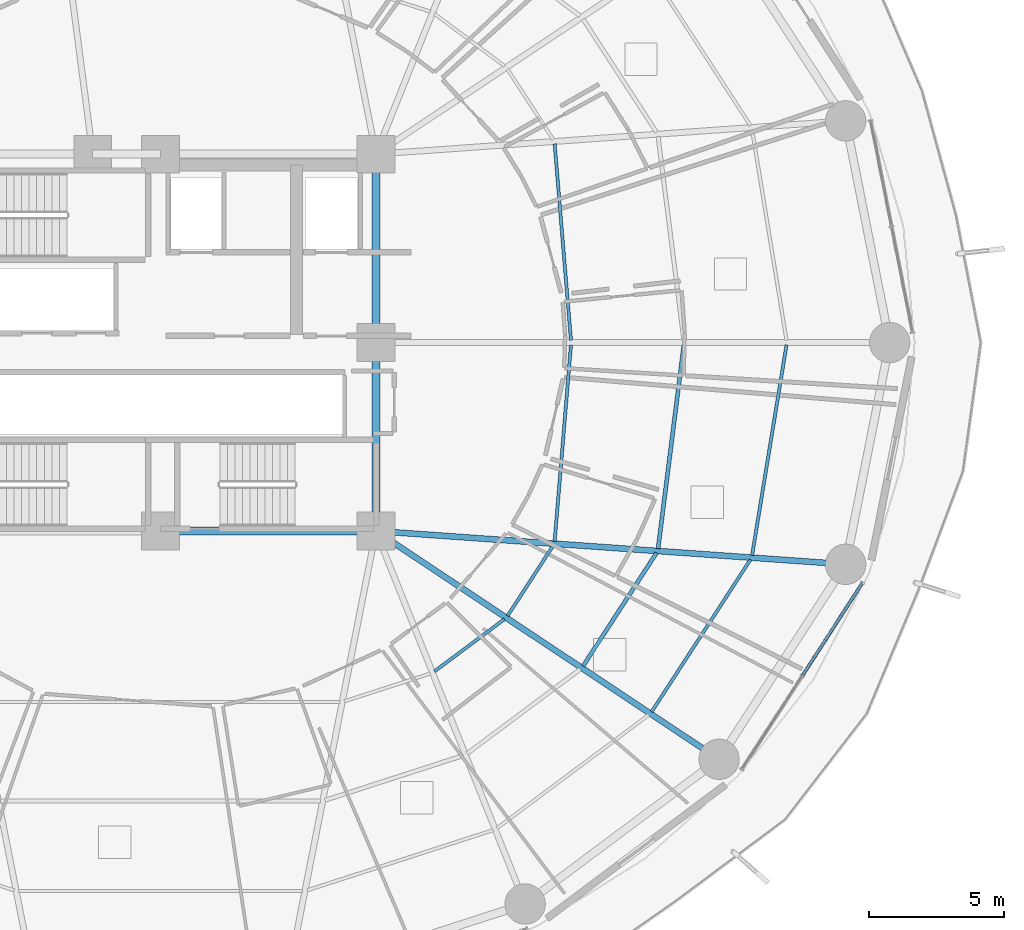
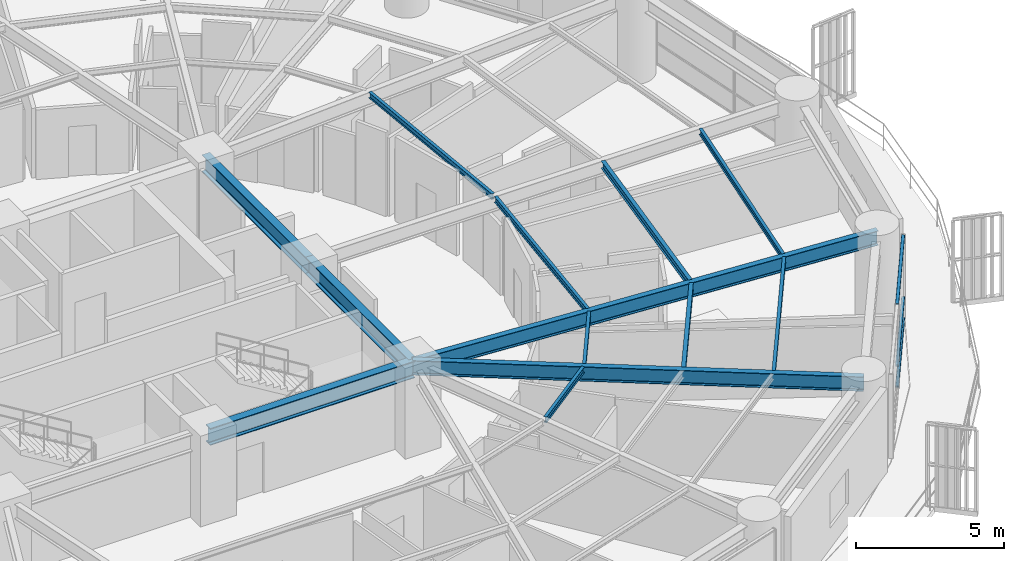
# One storey, part 11 of 32: 13 beams, 3 members, 1 element without a shape of its own.
"""IFC4 building model written with IfcOpenShell, lengths in metres."""

from ifc_helpers import new_model, si_unit, direction, frame, origin, origin_2d, place, context, subcontext, project, spatial, hollow_rectangle, i_section, extrude, material, layer, layer_set, material_profile, profile_set, type_object, element, aggregate, save


model = new_model("IFC4")

# Units and contexts
model_context = context("Model", 3, precision=1e-05, world=origin(), true_north=direction((0.0, 1.0)))
body_context = subcontext(model_context, "Body", "Model", "MODEL_VIEW")
ifc_project = project(units=[si_unit("LENGTHUNIT", "METRE"), si_unit("AREAUNIT", "SQUARE_METRE"), si_unit("VOLUMEUNIT", "CUBIC_METRE"), si_unit("PLANEANGLEUNIT", "RADIAN"), si_unit("MASSUNIT", "GRAM", prefix="KILO")], contexts=[model_context])

# Site, building, storey
site_placement = place(None, origin())
site = spatial("IfcSite", under=ifc_project, at=site_placement, CompositionType="ELEMENT")
building_placement = place(site_placement, origin())
building = spatial("IfcBuilding", under=site, at=building_placement, Name="Kelanora Arch Commons", CompositionType="ELEMENT")
storey_placement = place(building_placement, frame((0.0, 0.0, 56.25)))
storey = spatial("IfcBuildingStorey", under=building, at=storey_placement, Name="L14", CompositionType="ELEMENT", Elevation=56.25)

# Beams
ifc_material_1 = material(Name="Steel S355", Category="steel")
ifc_material_profile_1 = material_profile(ifc_material_1, i_section(OverallWidth=0.300048828125, OverallDepth=0.699951171875, WebThickness=0.01708984375, FlangeThickness=0.031982421875, FilletRadius=0.027099609375, at=origin_2d()), Name="HEB700")
ifc_profile_set_1 = profile_set([ifc_material_profile_1], Name="Steel S355")
beam_type_1 = type_object("IfcBeamType", Name="BM-CORE-HDR", PredefinedType="BEAM", material=ifc_profile_set_1)
beam_1_placement = place(storey_placement, frame((74.0, 51.0, 3.139892578125), z_axis=(1.0, 0.0, 0.0), x_axis=(0.0, 1.0, 0.0)))
element("IfcBeam", 1, at=beam_1_placement, inside=storey, type_object=beam_type_1, Name="Core Header Beam 02 L14", PredefinedType="BEAM", context=body_context, shape_type="SweptSolid", body=[
    extrude(i_section(OverallWidth=0.300048828125, OverallDepth=0.699951171875, WebThickness=0.01708984375, FlangeThickness=0.031982421875, FilletRadius=0.027099609375, at=origin_2d()), origin(), (0.0, 0.0, 1.0), 8.0),
])
for number, where, z_axis, x_axis, name in (
    (2, (82.0, 51.0, 3.139892578125), (0.0, 1.0, 0.0), (-1.0, 0.0, 0.0), "Core Header Beam 03 L14"),
    (3, (82.0, 58.0, 3.139892578125), (0.0, 1.0, 0.0), (-1.0, 0.0, 0.0), "Core Header Beam 04 L14"),
):
    element("IfcBeam", number, at=place(storey_placement, frame(where, z_axis=z_axis, x_axis=x_axis)), inside=storey, type_object=beam_type_1, Name=name, PredefinedType="BEAM", context=body_context, shape_type="SweptSolid", body=[
        extrude(i_section(OverallWidth=0.300048828125, OverallDepth=0.699951171875, WebThickness=0.01708984375, FlangeThickness=0.031982421875, FilletRadius=0.027099609375, at=origin_2d()), origin(), (0.0, 0.0, 1.0), 7.0),
    ])
ifc_material_profile_2 = material_profile(ifc_material_1, i_section(OverallWidth=0.14990234375, OverallDepth=0.300048828125, WebThickness=0.007080078125, FlangeThickness=0.0107421875, FilletRadius=0.014892578125, at=origin_2d()), Name="IPE300")
ifc_profile_set_2 = profile_set([ifc_material_profile_2], Name="Steel S355")
beam_type_2 = type_object("IfcBeamType", Name="BM-JST-01", PredefinedType="JOIST", material=ifc_profile_set_2)
beam_2_placement = place(storey_placement, frame((89.693115234375, 45.984375, 3.340087890625), z_axis=(0.544551588245, 0.838727350061, 0.0), x_axis=(-0.838727350061, 0.544551588245, 0.0)))
element("IfcBeam", 4, at=beam_2_placement, inside=storey, type_object=beam_type_2, Name="Secondary Chord Joist BJB-32 L14", PredefinedType="JOIST", context=body_context, shape_type="SweptSolid", body=[
    extrude(i_section(OverallWidth=0.14990234375, OverallDepth=0.300048828125, WebThickness=0.007080078125, FlangeThickness=0.0107421875, FilletRadius=0.014892578125, at=origin_2d()), origin(), (0.0, 0.0, 1.0), 5.010986328125),
])
beam_3_placement = place(storey_placement, frame((92.478759765625, 50.3427734375, 3.340087890625), z_axis=(0.125565841651, 0.992085288375, 0.0), x_axis=(-0.992085288375, 0.125565841651, 0.0)))
element("IfcBeam", 5, at=beam_3_placement, inside=storey, type_object=beam_type_2, Name="Secondary Chord Joist BJB-34 L14", PredefinedType="JOIST", context=body_context, shape_type="SweptSolid", body=[
    extrude(i_section(OverallWidth=0.14990234375, OverallDepth=0.300048828125, WebThickness=0.007080078125, FlangeThickness=0.0107421875, FilletRadius=0.014892578125, at=origin_2d()), origin(), (0.0, 0.0, 1.0), 7.63330078125),
])
ifc_material_profile_3 = material_profile(ifc_material_1, i_section(OverallWidth=0.1201171875, OverallDepth=0.239990234375, WebThickness=0.006103515625, FlangeThickness=0.009765625, FilletRadius=0.014892578125, at=origin_2d()), Name="IPE240")
ifc_profile_set_3 = profile_set([ifc_material_profile_3], Name="Steel S355")
beam_type_3 = type_object("IfcBeamType", Name="BM-JST-02", PredefinedType="JOIST", material=ifc_profile_set_3)
beam_4_placement = place(storey_placement, frame((89.243408203125, 58.084716796875, 3.3701171875), z_axis=(-0.082786209886, 0.996567330115, 0.0), x_axis=(-0.996567330115, -0.082786209886, 0.0)))
element("IfcBeam", 6, at=beam_4_placement, inside=storey, type_object=beam_type_3, Name="Secondary Chord Joist BJA-00 L14", PredefinedType="JOIST", context=body_context, shape_type="SweptSolid", body=[
    extrude(i_section(OverallWidth=0.1201171875, OverallDepth=0.239990234375, WebThickness=0.006103515625, FlangeThickness=0.009765625, FilletRadius=0.014892578125, at=origin_2d()), origin(), (0.0, 0.0, 1.0), 7.325439453125),
])
beam_5_placement = place(storey_placement, frame((84.17333984375, 45.786376953125, 3.3701171875), z_axis=(0.801513822608, 0.59797624716, 0.0), x_axis=(-0.59797624716, 0.801513822608, 0.0)))
element("IfcBeam", 7, at=beam_5_placement, inside=storey, type_object=beam_type_3, Name="Secondary Chord Joist BJA-30 L14", PredefinedType="JOIST", context=body_context, shape_type="SweptSolid", body=[
    extrude(i_section(OverallWidth=0.1201171875, OverallDepth=0.239990234375, WebThickness=0.006103515625, FlangeThickness=0.009765625, FilletRadius=0.014892578125, at=origin_2d()), origin(), (0.0, 0.0, 1.0), 3.245849609375),
])
beam_6_placement = place(storey_placement, frame((86.88916015625, 47.849609375, 3.3701171875), z_axis=(0.544591105858, 0.838701691557, 0.0), x_axis=(-0.838701691557, 0.544591105858, 0.0)))
element("IfcBeam", 8, at=beam_6_placement, inside=storey, type_object=beam_type_3, Name="Secondary Chord Joist BJA-32 L14", PredefinedType="JOIST", context=body_context, shape_type="SweptSolid", body=[
    extrude(i_section(OverallWidth=0.1201171875, OverallDepth=0.239990234375, WebThickness=0.006103515625, FlangeThickness=0.009765625, FilletRadius=0.014892578125, at=origin_2d()), origin(), (0.0, 0.0, 1.0), 3.111328125),
])
beam_7_placement = place(storey_placement, frame((92.241943359375, 44.288818359375, 3.3701171875), z_axis=(0.544550165372, 0.838728273873, 0.0), x_axis=(-0.838728273873, 0.544550165372, 0.0)))
element("IfcBeam", 9, at=beam_7_placement, inside=storey, type_object=beam_type_3, Name="Secondary Chord Joist BJC-32 L14", PredefinedType="JOIST", context=body_context, shape_type="SweptSolid", body=[
    extrude(i_section(OverallWidth=0.1201171875, OverallDepth=0.239990234375, WebThickness=0.006103515625, FlangeThickness=0.009765625, FilletRadius=0.014892578125, at=origin_2d()), origin(), (0.0, 0.0, 1.0), 6.738037109375),
])
beam_8_placement = place(storey_placement, frame((88.636962890625, 50.614990234375, 3.3701171875), z_axis=(0.082786209886, 0.996567330115, 0.0), x_axis=(-0.996567330115, 0.082786209886, 0.0)))
element("IfcBeam", 10, at=beam_8_placement, inside=storey, type_object=beam_type_3, Name="Secondary Chord Joist BJA-34 L14", PredefinedType="JOIST", context=body_context, shape_type="SweptSolid", body=[
    extrude(i_section(OverallWidth=0.1201171875, OverallDepth=0.239990234375, WebThickness=0.006103515625, FlangeThickness=0.009765625, FilletRadius=0.014892578125, at=origin_2d()), origin(), (0.0, 0.0, 1.0), 7.325439453125),
])
beam_9_placement = place(storey_placement, frame((95.97119140625, 50.09521484375, 3.3701171875), z_axis=(0.161400737199, 0.986888951216, 0.0), x_axis=(-0.986888951216, 0.161400737199, 0.0)))
element("IfcBeam", 11, at=beam_9_placement, inside=storey, type_object=beam_type_3, Name="Secondary Chord Joist BJC-34 L14", PredefinedType="JOIST", context=body_context, shape_type="SweptSolid", body=[
    extrude(i_section(OverallWidth=0.1201171875, OverallDepth=0.239990234375, WebThickness=0.006103515625, FlangeThickness=0.009765625, FilletRadius=0.014892578125, at=origin_2d()), origin(), (0.0, 0.0, 1.0), 7.9248046875),
])
ifc_material_profile_4 = material_profile(ifc_material_1, i_section(OverallWidth=0.219970703125, OverallDepth=0.60009765625, WebThickness=0.011962890625, FlangeThickness=0.01904296875, FilletRadius=0.02392578125, at=origin_2d()), Name="IPE600")
ifc_profile_set_4 = profile_set([ifc_material_profile_4], Name="Steel S355")
beam_type_4 = type_object("IfcBeamType", Name="BM-RAD-Z1", PredefinedType="BEAM", material=ifc_profile_set_4)
beam_10_placement = place(storey_placement, frame((82.0, 51.0, 3.18994140625), z_axis=(0.832592187754, -0.553886494591, 0.0), x_axis=(0.553886494591, 0.832592187754, 0.0)))
element("IfcBeam", 12, at=beam_10_placement, inside=storey, type_object=beam_type_4, Name="Radial Floor Girder BR-32 L14", PredefinedType="BEAM", context=body_context, shape_type="SweptSolid", body=[
    extrude(i_section(OverallWidth=0.219970703125, OverallDepth=0.60009765625, WebThickness=0.011962890625, FlangeThickness=0.01904296875, FilletRadius=0.02392578125, at=origin_2d()), origin(), (0.0, 0.0, 1.0), 15.306884765625),
])
beam_11_placement = place(storey_placement, frame((82.0, 51.0, 3.18994140625), z_axis=(0.997500683472, -0.070656821848, 0.0), x_axis=(0.070656821848, 0.997500683472, 0.0)))
element("IfcBeam", 13, at=beam_11_placement, inside=storey, type_object=beam_type_4, Name="Radial Floor Girder BR-34 L14", PredefinedType="BEAM", context=body_context, shape_type="SweptSolid", body=[
    extrude(i_section(OverallWidth=0.219970703125, OverallDepth=0.60009765625, WebThickness=0.011962890625, FlangeThickness=0.01904296875, FilletRadius=0.02392578125, at=origin_2d()), origin(), (0.0, 0.0, 1.0), 17.49072265625),
])

# Curtain wall, members
ifc_material_2 = material(Name="Terracotta ceramic-fritted low-E glass and aluminium", Category="masonry")
ifc_layer = layer(ifc_material_2, 0.159912109375)
ifc_layer_set = layer_set([ifc_layer], Name="Terracotta ceramic-fritted low-E glass and aluminium")
curtain_wall_type = type_object("IfcCurtainWallType", Name="CW-SYS-01", PredefinedType="NOTDEFINED", material=ifc_layer_set)
curtain_wall_placement = place(storey_placement, origin())
curtain_wall = element("IfcCurtainWall", 14, at=curtain_wall_placement, inside=storey, type_object=curtain_wall_type, Name="Unitised Curtain Wall L14-B16", PredefinedType="NOTDEFINED")
ifc_material_3 = material(Name="Powder-coated aluminium terracotta", Category="masonry")
ifc_material_profile_5 = material_profile(ifc_material_3, hollow_rectangle(XDim=0.1201171875, YDim=0.06005859375, WallThickness=0.0048828125, InnerFilletRadius=0.0048828125, OuterFilletRadius=0.010009765625, at=origin_2d()), Name="CWT120x60")
ifc_profile_set_5 = profile_set([ifc_material_profile_5], Name="Powder-coated aluminium terracotta")
member_type = type_object("IfcMemberType", Name="CWT-STD", PredefinedType="USERDEFINED", material=ifc_profile_set_5)
member_1_placement = place(storey_placement, frame((97.84716796875, 45.638671875, 0.030029296875), z_axis=(0.542997414293, 0.839734367566, 0.0), x_axis=(-0.839734367566, 0.542997414293, 0.0)))
member_1 = element("IfcMember", 15, at=member_1_placement, type_object=member_type, Name="CW-01 transom 2.1", ObjectType="TRANSOM", PredefinedType="USERDEFINED", context=body_context, shape_type="SweptSolid", body=[
    extrude(hollow_rectangle(XDim=0.1201171875, YDim=0.06005859375, WallThickness=0.0048828125, InnerFilletRadius=0.0048828125, OuterFilletRadius=0.010009765625, at=origin_2d()), origin(), (0.0, 0.0, 1.0), 4.067626953125),
])
member_2_placement = place(storey_placement, frame((97.84716796875, 45.638671875, 0.89990234375), z_axis=(0.542997414293, 0.839734367566, 0.0), x_axis=(-0.839734367566, 0.542997414293, 0.0)))
member_2 = element("IfcMember", 16, at=member_2_placement, type_object=member_type, Name="CW-01 transom 2.2", ObjectType="TRANSOM", PredefinedType="USERDEFINED", context=body_context, shape_type="SweptSolid", body=[
    extrude(hollow_rectangle(XDim=0.1201171875, YDim=0.06005859375, WallThickness=0.0048828125, InnerFilletRadius=0.0048828125, OuterFilletRadius=0.010009765625, at=origin_2d()), origin(), (0.0, 0.0, 1.0), 4.067626953125),
])
member_3_placement = place(storey_placement, frame((97.84716796875, 45.638671875, 3.445068359375), z_axis=(0.542997414293, 0.839734367566, 0.0), x_axis=(-0.839734367566, 0.542997414293, 0.0)))
member_3 = element("IfcMember", 17, at=member_3_placement, type_object=member_type, Name="CW-01 transom 2.3", ObjectType="TRANSOM", PredefinedType="USERDEFINED", context=body_context, shape_type="SweptSolid", body=[
    extrude(hollow_rectangle(XDim=0.1201171875, YDim=0.06005859375, WallThickness=0.0048828125, InnerFilletRadius=0.0048828125, OuterFilletRadius=0.010009765625, at=origin_2d()), origin(), (0.0, 0.0, 1.0), 4.067626953125),
])
aggregate(curtain_wall, [member_1, member_2, member_3])

save(model, "model.ifc")
